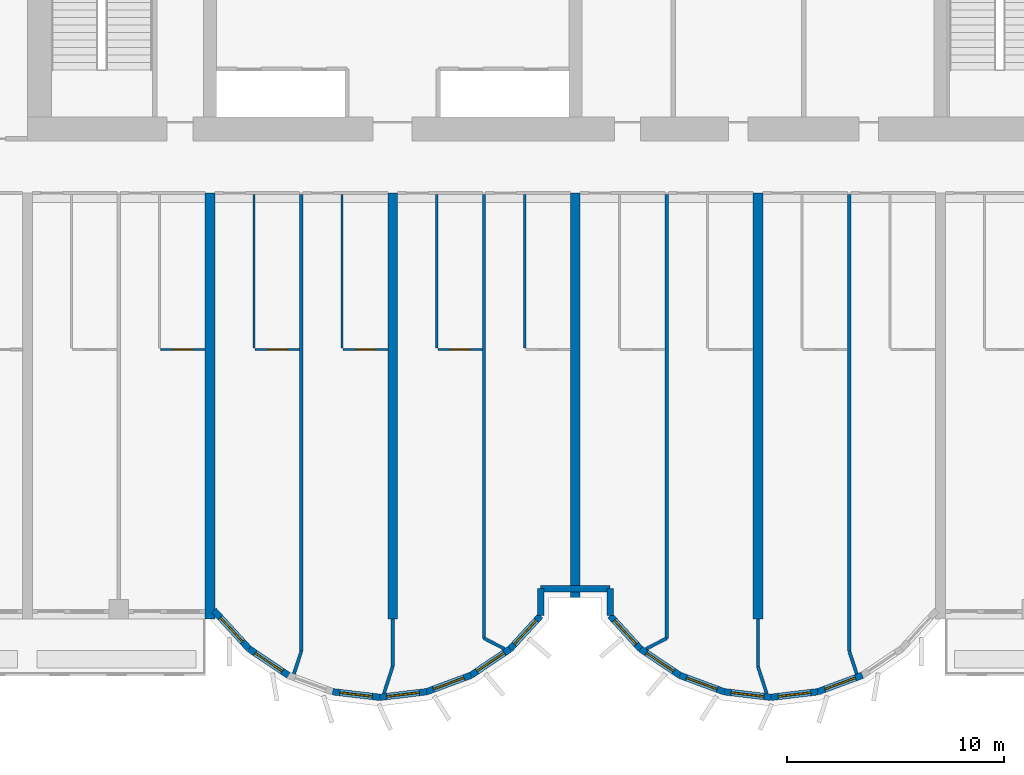
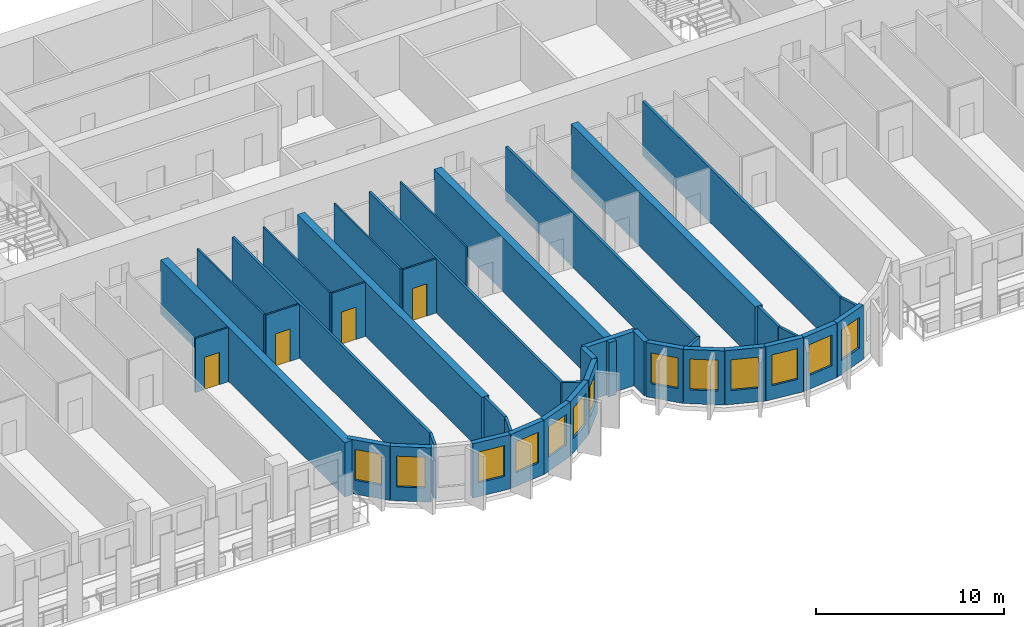
# One storey, part 4 of 15: 40 walls, 13 windows, 4 doors, 17 openings.
"""IFC4 building model written with IfcOpenShell, lengths in metres."""

from ifc_helpers import new_model, si_unit, direction, frame, frame_2d, origin, place, context, subcontext, project, spatial, rectangle, extrude, source, transform, mapped, material, layer, layer_set, type_object, element, fill, save


model = new_model("IFC4")

# Units and contexts
model_context = context("Model", 3, precision=1e-05, world=origin(), true_north=direction((0.0, 1.0)))
body_context = subcontext(model_context, "Body", "Model", "MODEL_VIEW")
ifc_project = project(units=[si_unit("LENGTHUNIT", "METRE"), si_unit("AREAUNIT", "SQUARE_METRE"), si_unit("VOLUMEUNIT", "CUBIC_METRE"), si_unit("PLANEANGLEUNIT", "RADIAN"), si_unit("MASSUNIT", "GRAM", prefix="KILO")], contexts=[model_context])

# Site, building, storey
site_placement = place(None, origin())
site = spatial("IfcSite", under=ifc_project, at=site_placement, CompositionType="ELEMENT")
building_placement = place(site_placement, origin())
building = spatial("IfcBuilding", under=site, at=building_placement, Name="Vanashikhar Sky Hotel", CompositionType="ELEMENT")
storey_placement = place(building_placement, frame((0.0, 0.0, 31.60009765625)))
storey = spatial("IfcBuildingStorey", under=building, at=storey_placement, Name="L06", CompositionType="ELEMENT", Elevation=31.60009765625)

# Walls
ifc_material_1 = material(Name="Concrete M80", Category="concrete")
ifc_layer_1 = layer(ifc_material_1, 0.449951171875)
ifc_layer_set_1 = layer_set([ifc_layer_1], Name="RC shear wall 450 Concrete M80")
wall_type_1 = type_object("IfcWallType", Name="RC shear wall 450 Concrete M80", PredefinedType="SHEAR", material=ifc_layer_set_1)
shared_shape_1 = source(origin(), body_context, "Body", "SweptSolid", [
    extrude(rectangle(XDim=19.60009765625, YDim=0.449951171875, at=frame_2d((9.800048828125, 0.0))), origin(), (0.0, 0.0, 1.0), 3.52001953125),
])
for number, where, z_axis, x_axis, name in (
    (1, (33.60009765625, 0.0, 0.0), (0.0, 0.0, 1.0), (0.0, 1.0, 0.0), "CW-L06-XW05-1"),
    (2, (42.0, 0.0, 0.0), (0.0, 0.0, 1.0), (0.0, 1.0, 0.0), "CW-L06-XW06-1"),
    (3, (58.800048828125, 0.0, 0.0), (0.0, 0.0, 1.0), (0.0, 1.0, 0.0), "CW-L06-XW08-1"),
):
    element("IfcWall", number, at=place(storey_placement, frame(where, z_axis=z_axis, x_axis=x_axis)), inside=storey, type_object=wall_type_1, Name=name, PredefinedType="SHEAR", context=body_context, shape_type="MappedRepresentation", body=[
        mapped(shared_shape_1, transform((0.0, 0.0, 0.0), scale=1.0)),
    ])
shared_shape_2 = source(origin(), body_context, "Body", "SweptSolid", [
    extrude(rectangle(XDim=18.60009765625, YDim=0.449951171875, at=frame_2d((9.300048828125, 0.0))), origin(), (0.0, 0.0, 1.0), 3.52001953125),
])
wall_1_placement = place(storey_placement, frame((50.39990234375, 1.0, 0.0), z_axis=(0.0, 0.0, 1.0), x_axis=(0.0, 1.0, 0.0)))
element("IfcWall", 4, at=wall_1_placement, inside=storey, type_object=wall_type_1, Name="CW-L06-XW07-1", PredefinedType="SHEAR", context=body_context, shape_type="MappedRepresentation", body=[
    mapped(shared_shape_2, transform((0.0, 0.0, 0.0), scale=1.0)),
])

# Wall, opening, window
ifc_material_2 = material(Name="Concrete M50", Category="concrete")
ifc_layer_2 = layer(ifc_material_2, 0.300048828125)
ifc_layer_set_2 = layer_set([ifc_layer_2], Name="Lobe wall 300")
wall_type_2 = type_object("IfcWallType", Name="Lobe wall 300", PredefinedType="SOLIDWALL", material=ifc_layer_set_2)
shared_shape_3 = source(origin(), body_context, "Body", "SweptSolid", [
    extrude(rectangle(XDim=2.398193359375, YDim=0.300048828125, at=frame_2d((1.19921875, 0.0))), origin(), (0.0, 0.0, 1.0), 3.52001953125),
])
wall_2_placement = place(storey_placement, frame((33.776123046875, 0.39990234375, 0.0), z_axis=(0.0, 0.0, 1.0), x_axis=(0.675374189419, -0.737475222815, 0.0)))
wall_2 = element("IfcWall", 5, at=wall_2_placement, inside=storey, type_object=wall_type_2, Name="Lobe wall", PredefinedType="SOLIDWALL", context=body_context, shape_type="MappedRepresentation", body=[
    mapped(shared_shape_3, transform((0.0, 0.0, 0.0), scale=1.0)),
])
shared_shape_4 = source(origin(), body_context, "Body", "SweptSolid", [
    extrude(rectangle(XDim=1.5, YDim=2.0, at=frame_2d((0.75, 1.0))), frame((0.0, 0.16015625, 0.0), z_axis=(0.0, -1.0, 0.0), x_axis=(1.0, 0.0, 0.0)), (0.0, 0.0, 1.0), 0.320068359375),
])
opening_1_placement = place(wall_2_placement, frame((0.44921875, 0.0, 0.89990234375)))
opening_1 = element("IfcOpeningElement", 6, at=opening_1_placement, cuts=wall_2, Name="Opening WN-2", PredefinedType="OPENING", context=body_context, shape_type="MappedRepresentation", body=[
    mapped(shared_shape_4, transform((0.0, 0.0, 0.0), scale=1.0)),
])
ifc_material_3 = material(Name="Glass", Category="glass")
window_type = type_object("IfcWindowType", Name="Lobe window 1500 x 2000", PartitioningType="SINGLE_PANEL", PredefinedType="WINDOW", material=ifc_material_3)
shared_shape_5 = source(origin(), body_context, "Body", "SweptSolid", [
    extrude(rectangle(XDim=1.5, YDim=2.0, at=frame_2d((0.75, 1.0))), frame((0.0, 0.030029296875, 0.0), z_axis=(0.0, -1.0, 0.0), x_axis=(1.0, 0.0, 0.0)), (0.0, 0.0, 1.0), 0.06005859375),
])
window_1_placement = place(opening_1_placement, origin())
window_1 = element("IfcWindow", 7, at=window_1_placement, inside=storey, type_object=window_type, Name="Window WN-2", OverallHeight=2.0, OverallWidth=1.5, PartitioningType="SINGLE_PANEL", PredefinedType="WINDOW", context=body_context, shape_type="MappedRepresentation", body=[
    mapped(shared_shape_5, transform((0.0, 0.0, 0.0), scale=1.0)),
])
fill(opening_1, window_1)

shared_shape_6 = source(origin(), body_context, "Body", "SweptSolid", [
    extrude(rectangle(XDim=2.17578125, YDim=0.300048828125, at=frame_2d((1.087890625, 0.0))), origin(), (0.0, 0.0, 1.0), 3.52001953125),
])
wall_3_placement = place(storey_placement, frame((35.395751953125, -1.36865234375, 0.0), z_axis=(0.0, 0.0, 1.0), x_axis=(0.829590746428, -0.558371913192, 0.0)))
wall_3 = element("IfcWall", 8, at=wall_3_placement, inside=storey, type_object=wall_type_2, Name="Lobe wall", PredefinedType="SOLIDWALL", context=body_context, shape_type="MappedRepresentation", body=[
    mapped(shared_shape_6, transform((0.0, 0.0, 0.0), scale=1.0)),
])
opening_2_placement = place(wall_3_placement, frame((0.337890625, 0.0, 0.89990234375)))
opening_2 = element("IfcOpeningElement", 9, at=opening_2_placement, cuts=wall_3, Name="Opening WN-2", PredefinedType="OPENING", context=body_context, shape_type="MappedRepresentation", body=[
    mapped(shared_shape_4, transform((0.0, 0.0, 0.0), scale=1.0)),
])
window_2_placement = place(opening_2_placement, origin())
window_2 = element("IfcWindow", 10, at=window_2_placement, inside=storey, type_object=window_type, Name="Window WN-2", OverallHeight=2.0, OverallWidth=1.5, PartitioningType="SINGLE_PANEL", PredefinedType="WINDOW", context=body_context, shape_type="MappedRepresentation", body=[
    mapped(shared_shape_5, transform((0.0, 0.0, 0.0), scale=1.0)),
])
fill(opening_2, window_2)

wall_4_placement = place(storey_placement, frame((45.59912109375, -2.58349609375, 0.0), z_axis=(0.0, 0.0, 1.0), x_axis=(0.829625727223, 0.558319937607, 0.0)))
wall_4 = element("IfcWall", 11, at=wall_4_placement, inside=storey, type_object=wall_type_2, Name="Lobe wall", PredefinedType="SOLIDWALL", context=body_context, shape_type="MappedRepresentation", body=[
    mapped(shared_shape_6, transform((0.0, 0.0, 0.0), scale=1.0)),
])
opening_3_placement = place(wall_4_placement, frame((0.337890625, 0.0, 0.89990234375)))
opening_3 = element("IfcOpeningElement", 12, at=opening_3_placement, cuts=wall_4, Name="Opening WN-2", PredefinedType="OPENING", context=body_context, shape_type="MappedRepresentation", body=[
    mapped(shared_shape_4, transform((0.0, 0.0, 0.0), scale=1.0)),
])
window_3_placement = place(opening_3_placement, origin())
window_3 = element("IfcWindow", 13, at=window_3_placement, inside=storey, type_object=window_type, Name="Window WN-2", OverallHeight=2.0, OverallWidth=1.5, PartitioningType="SINGLE_PANEL", PredefinedType="WINDOW", context=body_context, shape_type="MappedRepresentation", body=[
    mapped(shared_shape_5, transform((0.0, 0.0, 0.0), scale=1.0)),
])
fill(opening_3, window_3)

wall_5_placement = place(storey_placement, frame((53.395751953125, -1.36865234375, 0.0), z_axis=(0.0, 0.0, 1.0), x_axis=(0.829590746428, -0.558371913192, 0.0)))
wall_5 = element("IfcWall", 14, at=wall_5_placement, inside=storey, type_object=wall_type_2, Name="Lobe wall", PredefinedType="SOLIDWALL", context=body_context, shape_type="MappedRepresentation", body=[
    mapped(shared_shape_6, transform((0.0, 0.0, 0.0), scale=1.0)),
])
opening_4_placement = place(wall_5_placement, frame((0.337890625, 0.0, 0.89990234375)))
opening_4 = element("IfcOpeningElement", 15, at=opening_4_placement, cuts=wall_5, Name="Opening WN-2", PredefinedType="OPENING", context=body_context, shape_type="MappedRepresentation", body=[
    mapped(shared_shape_4, transform((0.0, 0.0, 0.0), scale=1.0)),
])
window_4_placement = place(opening_4_placement, origin())
window_4 = element("IfcWindow", 16, at=window_4_placement, inside=storey, type_object=window_type, Name="Window WN-2", OverallHeight=2.0, OverallWidth=1.5, PartitioningType="SINGLE_PANEL", PredefinedType="WINDOW", context=body_context, shape_type="MappedRepresentation", body=[
    mapped(shared_shape_5, transform((0.0, 0.0, 0.0), scale=1.0)),
])
fill(opening_4, window_4)

wall_6_placement = place(storey_placement, frame((55.20068359375, -2.58349609375, 0.0), z_axis=(0.0, 0.0, 1.0), x_axis=(0.93754555999, -0.347862505801, 0.0)))
wall_6 = element("IfcWall", 17, at=wall_6_placement, inside=storey, type_object=wall_type_2, Name="Lobe wall", PredefinedType="SOLIDWALL", context=body_context, shape_type="MappedRepresentation", body=[
    mapped(shared_shape_6, transform((0.0, 0.0, 0.0), scale=1.0)),
])
opening_5_placement = place(wall_6_placement, frame((0.337890625, 0.0, 0.89990234375)))
opening_5 = element("IfcOpeningElement", 18, at=opening_5_placement, cuts=wall_6, Name="Opening WN-2", PredefinedType="OPENING", context=body_context, shape_type="MappedRepresentation", body=[
    mapped(shared_shape_4, transform((0.0, 0.0, 0.0), scale=1.0)),
])
window_5_placement = place(opening_5_placement, origin())
window_5 = element("IfcWindow", 19, at=window_5_placement, inside=storey, type_object=window_type, Name="Window WN-2", OverallHeight=2.0, OverallWidth=1.5, PartitioningType="SINGLE_PANEL", PredefinedType="WINDOW", context=body_context, shape_type="MappedRepresentation", body=[
    mapped(shared_shape_5, transform((0.0, 0.0, 0.0), scale=1.0)),
])
fill(opening_5, window_5)

shared_shape_7 = source(origin(), body_context, "Body", "SweptSolid", [
    extrude(rectangle(XDim=2.174560546875, YDim=0.300048828125, at=frame_2d((1.08740234375, 0.0))), origin(), (0.0, 0.0, 1.0), 3.52001953125),
])
wall_7_placement = place(storey_placement, frame((39.240478515625, -3.34033203125, 0.0), z_axis=(0.0, 0.0, 1.0), x_axis=(0.993001132889, -0.118104826659, 0.0)))
wall_7 = element("IfcWall", 20, at=wall_7_placement, inside=storey, type_object=wall_type_2, Name="Lobe wall", PredefinedType="SOLIDWALL", context=body_context, shape_type="MappedRepresentation", body=[
    mapped(shared_shape_7, transform((0.0, 0.0, 0.0), scale=1.0)),
])
opening_6_placement = place(wall_7_placement, frame((0.33740234375, 0.0, 0.89990234375)))
opening_6 = element("IfcOpeningElement", 21, at=opening_6_placement, cuts=wall_7, Name="Opening WN-2", PredefinedType="OPENING", context=body_context, shape_type="MappedRepresentation", body=[
    mapped(shared_shape_4, transform((0.0, 0.0, 0.0), scale=1.0)),
])
window_6_placement = place(opening_6_placement, origin())
window_6 = element("IfcWindow", 22, at=window_6_placement, inside=storey, type_object=window_type, Name="Window WN-2", OverallHeight=2.0, OverallWidth=1.5, PartitioningType="SINGLE_PANEL", PredefinedType="WINDOW", context=body_context, shape_type="MappedRepresentation", body=[
    mapped(shared_shape_5, transform((0.0, 0.0, 0.0), scale=1.0)),
])
fill(opening_6, window_6)

wall_8_placement = place(storey_placement, frame((57.240478515625, -3.34033203125, 0.0), z_axis=(0.0, 0.0, 1.0), x_axis=(0.993001132889, -0.118104826659, 0.0)))
wall_8 = element("IfcWall", 23, at=wall_8_placement, inside=storey, type_object=wall_type_2, Name="Lobe wall", PredefinedType="SOLIDWALL", context=body_context, shape_type="MappedRepresentation", body=[
    mapped(shared_shape_7, transform((0.0, 0.0, 0.0), scale=1.0)),
])
opening_7_placement = place(wall_8_placement, frame((0.33740234375, 0.0, 0.89990234375)))
opening_7 = element("IfcOpeningElement", 24, at=opening_7_placement, cuts=wall_8, Name="Opening WN-2", PredefinedType="OPENING", context=body_context, shape_type="MappedRepresentation", body=[
    mapped(shared_shape_4, transform((0.0, 0.0, 0.0), scale=1.0)),
])
window_7_placement = place(opening_7_placement, origin())
window_7 = element("IfcWindow", 25, at=window_7_placement, inside=storey, type_object=window_type, Name="Window WN-2", OverallHeight=2.0, OverallWidth=1.5, PartitioningType="SINGLE_PANEL", PredefinedType="WINDOW", context=body_context, shape_type="MappedRepresentation", body=[
    mapped(shared_shape_5, transform((0.0, 0.0, 0.0), scale=1.0)),
])
fill(opening_7, window_7)

shared_shape_8 = source(origin(), body_context, "Body", "SweptSolid", [
    extrude(rectangle(XDim=2.1748046875, YDim=0.300048828125, at=frame_2d((1.08740234375, 0.0))), origin(), (0.0, 0.0, 1.0), 3.52001953125),
])
wall_9_placement = place(storey_placement, frame((41.39990234375, -3.59716796875, 0.0), z_axis=(0.0, 0.0, 1.0), x_axis=(0.993002698611, 0.118091661648, 0.0)))
wall_9 = element("IfcWall", 26, at=wall_9_placement, inside=storey, type_object=wall_type_2, Name="Lobe wall", PredefinedType="SOLIDWALL", context=body_context, shape_type="MappedRepresentation", body=[
    mapped(shared_shape_8, transform((0.0, 0.0, 0.0), scale=1.0)),
])
opening_8_placement = place(wall_9_placement, frame((0.33740234375, 0.0, 0.89990234375)))
opening_8 = element("IfcOpeningElement", 27, at=opening_8_placement, cuts=wall_9, Name="Opening WN-2", PredefinedType="OPENING", context=body_context, shape_type="MappedRepresentation", body=[
    mapped(shared_shape_4, transform((0.0, 0.0, 0.0), scale=1.0)),
])
window_8_placement = place(opening_8_placement, origin())
window_8 = element("IfcWindow", 28, at=window_8_placement, inside=storey, type_object=window_type, Name="Window WN-2", OverallHeight=2.0, OverallWidth=1.5, PartitioningType="SINGLE_PANEL", PredefinedType="WINDOW", context=body_context, shape_type="MappedRepresentation", body=[
    mapped(shared_shape_5, transform((0.0, 0.0, 0.0), scale=1.0)),
])
fill(opening_8, window_8)

wall_10_placement = place(storey_placement, frame((59.39990234375, -3.59716796875, 0.0), z_axis=(0.0, 0.0, 1.0), x_axis=(0.993002698611, 0.118091661648, 0.0)))
wall_10 = element("IfcWall", 29, at=wall_10_placement, inside=storey, type_object=wall_type_2, Name="Lobe wall", PredefinedType="SOLIDWALL", context=body_context, shape_type="MappedRepresentation", body=[
    mapped(shared_shape_8, transform((0.0, 0.0, 0.0), scale=1.0)),
])
opening_9_placement = place(wall_10_placement, frame((0.33740234375, 0.0, 0.89990234375)))
opening_9 = element("IfcOpeningElement", 30, at=opening_9_placement, cuts=wall_10, Name="Opening WN-2", PredefinedType="OPENING", context=body_context, shape_type="MappedRepresentation", body=[
    mapped(shared_shape_4, transform((0.0, 0.0, 0.0), scale=1.0)),
])
window_9_placement = place(opening_9_placement, origin())
window_9 = element("IfcWindow", 31, at=window_9_placement, inside=storey, type_object=window_type, Name="Window WN-2", OverallHeight=2.0, OverallWidth=1.5, PartitioningType="SINGLE_PANEL", PredefinedType="WINDOW", context=body_context, shape_type="MappedRepresentation", body=[
    mapped(shared_shape_5, transform((0.0, 0.0, 0.0), scale=1.0)),
])
fill(opening_9, window_9)

shared_shape_9 = source(origin(), body_context, "Body", "SweptSolid", [
    extrude(rectangle(XDim=2.175537109375, YDim=0.300048828125, at=frame_2d((1.087890625, 0.0))), origin(), (0.0, 0.0, 1.0), 3.52001953125),
])
wall_11_placement = place(storey_placement, frame((43.5595703125, -3.34033203125, 0.0), z_axis=(0.0, 0.0, 1.0), x_axis=(0.937531979054, 0.347899106424, 0.0)))
wall_11 = element("IfcWall", 32, at=wall_11_placement, inside=storey, type_object=wall_type_2, Name="Lobe wall", PredefinedType="SOLIDWALL", context=body_context, shape_type="MappedRepresentation", body=[
    mapped(shared_shape_9, transform((0.0, 0.0, 0.0), scale=1.0)),
])
opening_10_placement = place(wall_11_placement, frame((0.337890625, 0.0, 0.89990234375)))
opening_10 = element("IfcOpeningElement", 33, at=opening_10_placement, cuts=wall_11, Name="Opening WN-2", PredefinedType="OPENING", context=body_context, shape_type="MappedRepresentation", body=[
    mapped(shared_shape_4, transform((0.0, 0.0, 0.0), scale=1.0)),
])
window_10_placement = place(opening_10_placement, origin())
window_10 = element("IfcWindow", 34, at=window_10_placement, inside=storey, type_object=window_type, Name="Window WN-2", OverallHeight=2.0, OverallWidth=1.5, PartitioningType="SINGLE_PANEL", PredefinedType="WINDOW", context=body_context, shape_type="MappedRepresentation", body=[
    mapped(shared_shape_5, transform((0.0, 0.0, 0.0), scale=1.0)),
])
fill(opening_10, window_10)

wall_12_placement = place(storey_placement, frame((61.5595703125, -3.34033203125, 0.0), z_axis=(0.0, 0.0, 1.0), x_axis=(0.937531979054, 0.347899106424, 0.0)))
wall_12 = element("IfcWall", 35, at=wall_12_placement, inside=storey, type_object=wall_type_2, Name="Lobe wall", PredefinedType="SOLIDWALL", context=body_context, shape_type="MappedRepresentation", body=[
    mapped(shared_shape_9, transform((0.0, 0.0, 0.0), scale=1.0)),
])
opening_11_placement = place(wall_12_placement, frame((0.337890625, 0.0, 0.89990234375)))
opening_11 = element("IfcOpeningElement", 36, at=opening_11_placement, cuts=wall_12, Name="Opening WN-2", PredefinedType="OPENING", context=body_context, shape_type="MappedRepresentation", body=[
    mapped(shared_shape_4, transform((0.0, 0.0, 0.0), scale=1.0)),
])
window_11_placement = place(opening_11_placement, origin())
window_11 = element("IfcWindow", 37, at=window_11_placement, inside=storey, type_object=window_type, Name="Window WN-2", OverallHeight=2.0, OverallWidth=1.5, PartitioningType="SINGLE_PANEL", PredefinedType="WINDOW", context=body_context, shape_type="MappedRepresentation", body=[
    mapped(shared_shape_5, transform((0.0, 0.0, 0.0), scale=1.0)),
])
fill(opening_11, window_11)

shared_shape_10 = source(origin(), body_context, "Body", "SweptSolid", [
    extrude(rectangle(XDim=2.066650390625, YDim=0.300048828125, at=frame_2d((1.033203125, 0.0))), origin(), (0.0, 0.0, 1.0), 3.52001953125),
])
wall_13_placement = place(storey_placement, frame((47.404296875, -1.36865234375, 0.0), z_axis=(0.0, 0.0, 1.0), x_axis=(0.675355439877, 0.737492393065, 0.0)))
wall_13 = element("IfcWall", 38, at=wall_13_placement, inside=storey, type_object=wall_type_2, Name="Lobe wall", PredefinedType="SOLIDWALL", context=body_context, shape_type="MappedRepresentation", body=[
    mapped(shared_shape_10, transform((0.0, 0.0, 0.0), scale=1.0)),
])
opening_12_placement = place(wall_13_placement, frame((0.283447265625, 0.0, 0.89990234375)))
opening_12 = element("IfcOpeningElement", 39, at=opening_12_placement, cuts=wall_13, Name="Opening WN-2", PredefinedType="OPENING", context=body_context, shape_type="MappedRepresentation", body=[
    mapped(shared_shape_4, transform((0.0, 0.0, 0.0), scale=1.0)),
])
window_12_placement = place(opening_12_placement, origin())
window_12 = element("IfcWindow", 40, at=window_12_placement, inside=storey, type_object=window_type, Name="Window WN-2", OverallHeight=2.0, OverallWidth=1.5, PartitioningType="SINGLE_PANEL", PredefinedType="WINDOW", context=body_context, shape_type="MappedRepresentation", body=[
    mapped(shared_shape_5, transform((0.0, 0.0, 0.0), scale=1.0)),
])
fill(opening_12, window_12)

wall_14_placement = place(storey_placement, frame((52.0, 0.155517578125, 0.0), z_axis=(0.0, 0.0, 1.0), x_axis=(0.675355439877, -0.737492393065, 0.0)))
wall_14 = element("IfcWall", 41, at=wall_14_placement, inside=storey, type_object=wall_type_2, Name="Lobe wall", PredefinedType="SOLIDWALL", context=body_context, shape_type="MappedRepresentation", body=[
    mapped(shared_shape_10, transform((0.0, 0.0, 0.0), scale=1.0)),
])
opening_13_placement = place(wall_14_placement, frame((0.283447265625, 0.0, 0.89990234375)))
opening_13 = element("IfcOpeningElement", 42, at=opening_13_placement, cuts=wall_14, Name="Opening WN-2", PredefinedType="OPENING", context=body_context, shape_type="MappedRepresentation", body=[
    mapped(shared_shape_4, transform((0.0, 0.0, 0.0), scale=1.0)),
])
window_13_placement = place(opening_13_placement, origin())
window_13 = element("IfcWindow", 43, at=window_13_placement, inside=storey, type_object=window_type, Name="Window WN-2", OverallHeight=2.0, OverallWidth=1.5, PartitioningType="SINGLE_PANEL", PredefinedType="WINDOW", context=body_context, shape_type="MappedRepresentation", body=[
    mapped(shared_shape_5, transform((0.0, 0.0, 0.0), scale=1.0)),
])
fill(opening_13, window_13)

# Walls
shared_shape_11 = source(origin(), body_context, "Body", "SweptSolid", [
    extrude(rectangle(XDim=1.244384765625, YDim=0.300048828125, at=frame_2d((0.6220703125, 0.0))), origin(), (0.0, 0.0, 1.0), 3.52001953125),
])
for number, where, z_axis, x_axis, name in (
    (44, (48.800048828125, 0.155517578125, 0.0), (0.0, 0.0, 1.0), (0.0, 1.0, 0.0), "Groove wall"),
    (45, (52.0, 1.39990234375, 0.0), (0.0, 0.0, 1.0), (0.0, -1.0, 0.0), "Groove wall"),
):
    element("IfcWall", number, at=place(storey_placement, frame(where, z_axis=z_axis, x_axis=x_axis)), inside=storey, type_object=wall_type_2, Name=name, PredefinedType="SOLIDWALL", context=body_context, shape_type="MappedRepresentation", body=[
        mapped(shared_shape_11, transform((0.0, 0.0, 0.0), scale=1.0)),
    ])
shared_shape_12 = source(origin(), body_context, "Body", "SweptSolid", [
    extrude(rectangle(XDim=3.199951171875, YDim=0.300048828125, at=frame_2d((1.60009765625, 0.0))), origin(), (0.0, 0.0, 1.0), 3.52001953125),
])
wall_15_placement = place(storey_placement, frame((48.800048828125, 1.39990234375, 0.0), z_axis=(0.0, 0.0, 1.0), x_axis=(1.0, 0.0, 0.0)))
element("IfcWall", 46, at=wall_15_placement, inside=storey, type_object=wall_type_2, Name="Groove wall", PredefinedType="SOLIDWALL", context=body_context, shape_type="MappedRepresentation", body=[
    mapped(shared_shape_12, transform((0.0, 0.0, 0.0), scale=1.0)),
])
ifc_material_4 = material(Name="Gypsum plasterboard partition")
ifc_layer_3 = layer(ifc_material_4, 0.10009765625)
ifc_layer_set_3 = layer_set([ifc_layer_3], Name="Wet room partition 100")
wall_type_3 = type_object("IfcWallType", Name="Wet room partition 100", PredefinedType="PARTITIONING", material=ifc_layer_set_3)
shared_shape_13 = source(origin(), body_context, "Body", "SweptSolid", [
    extrude(rectangle(XDim=7.0498046875, YDim=0.10009765625, at=frame_2d((3.52490234375, 0.0))), origin(), (0.0, 0.0, 1.0), 3.52001953125),
])
for number, where, z_axis, x_axis, name in (
    (47, (35.625, 12.47509765625, 0.0), (0.0, 0.0, 1.0), (0.0, 1.0, 0.0), "W-L06-PW029"),
    (48, (39.675048828125, 12.47509765625, 0.0), (0.0, 0.0, 1.0), (0.0, 1.0, 0.0), "W-L06-PW032"),
    (49, (44.02490234375, 12.47509765625, 0.0), (0.0, 0.0, 1.0), (0.0, 1.0, 0.0), "W-L06-PW036"),
    (50, (48.074951171875, 12.47509765625, 0.0), (0.0, 0.0, 1.0), (0.0, 1.0, 0.0), "W-L06-PW039"),
):
    element("IfcWall", number, at=place(storey_placement, frame(where, z_axis=z_axis, x_axis=x_axis)), inside=storey, type_object=wall_type_3, Name=name, PredefinedType="PARTITIONING", context=body_context, shape_type="MappedRepresentation", body=[
        mapped(shared_shape_13, transform((0.0, 0.0, 0.0), scale=1.0)),
    ])

# Wall, opening, door
shared_shape_14 = source(origin(), body_context, "Body", "SweptSolid", [
    extrude(rectangle(XDim=2.050048828125, YDim=0.10009765625, at=frame_2d((1.02490234375, 0.0))), origin(), (0.0, 0.0, 1.0), 3.52001953125),
])
wall_16_placement = place(storey_placement, frame((31.324951171875, 12.39990234375, 0.0), z_axis=(0.0, 0.0, 1.0), x_axis=(1.0, 0.0, 0.0)))
wall_16 = element("IfcWall", 51, at=wall_16_placement, inside=storey, type_object=wall_type_3, Name="W-L06-PW026", PredefinedType="PARTITIONING", context=body_context, shape_type="MappedRepresentation", body=[
    mapped(shared_shape_14, transform((0.0, 0.0, 0.0), scale=1.0)),
])
shared_shape_15 = source(origin(), body_context, "Body", "SweptSolid", [
    extrude(rectangle(XDim=0.89990234375, YDim=2.10009765625, at=frame_2d((0.449951171875, 1.050048828125))), frame((0.0, 0.06005859375, 0.0), z_axis=(0.0, -1.0, 0.0), x_axis=(1.0, 0.0, 0.0)), (0.0, 0.0, 1.0), 0.1201171875),
])
opening_14_placement = place(wall_16_placement, frame((0.574951171875, 0.0, 0.0)))
opening_14 = element("IfcOpeningElement", 52, at=opening_14_placement, cuts=wall_16, Name="Opening D-02", PredefinedType="OPENING", context=body_context, shape_type="MappedRepresentation", body=[
    mapped(shared_shape_15, transform((0.0, 0.0, 0.0), scale=1.0)),
])
ifc_material_5 = material(Name="Timber door", Category="wood")
door_type = type_object("IfcDoorType", Name="Internal door 900", OperationType="NOTDEFINED", PredefinedType="DOOR", material=ifc_material_5)
shared_shape_16 = source(origin(), body_context, "Body", "SweptSolid", [
    extrude(rectangle(XDim=0.89990234375, YDim=2.10009765625, at=frame_2d((0.449951171875, 1.050048828125))), frame((0.0, 0.02490234375, 0.0), z_axis=(0.0, -1.0, 0.0), x_axis=(1.0, 0.0, 0.0)), (0.0, 0.0, 1.0), 0.050048828125),
])
door_1_placement = place(opening_14_placement, origin())
door_1 = element("IfcDoor", 53, at=door_1_placement, inside=storey, type_object=door_type, Name="D-L06-015", OperationType="SINGLE_SWING_LEFT", OverallHeight=2.10009765625, OverallWidth=0.89990234375, PredefinedType="DOOR", context=body_context, shape_type="MappedRepresentation", body=[
    mapped(shared_shape_16, transform((0.0, 0.0, 0.0), scale=1.0)),
])
fill(opening_14, door_1)

wall_17_placement = place(storey_placement, frame((35.675048828125, 12.39990234375, 0.0), z_axis=(0.0, 0.0, 1.0), x_axis=(1.0, 0.0, 0.0)))
wall_17 = element("IfcWall", 54, at=wall_17_placement, inside=storey, type_object=wall_type_3, Name="W-L06-PW030", PredefinedType="PARTITIONING", context=body_context, shape_type="MappedRepresentation", body=[
    mapped(shared_shape_14, transform((0.0, 0.0, 0.0), scale=1.0)),
])
opening_15_placement = place(wall_17_placement, frame((0.574951171875, 0.0, 0.0)))
opening_15 = element("IfcOpeningElement", 55, at=opening_15_placement, cuts=wall_17, Name="Opening D-02", PredefinedType="OPENING", context=body_context, shape_type="MappedRepresentation", body=[
    mapped(shared_shape_15, transform((0.0, 0.0, 0.0), scale=1.0)),
])
door_2_placement = place(opening_15_placement, origin())
door_2 = element("IfcDoor", 56, at=door_2_placement, inside=storey, type_object=door_type, Name="D-L06-017", OperationType="SINGLE_SWING_LEFT", OverallHeight=2.10009765625, OverallWidth=0.89990234375, PredefinedType="DOOR", context=body_context, shape_type="MappedRepresentation", body=[
    mapped(shared_shape_16, transform((0.0, 0.0, 0.0), scale=1.0)),
])
fill(opening_15, door_2)

wall_18_placement = place(storey_placement, frame((44.074951171875, 12.39990234375, 0.0), z_axis=(0.0, 0.0, 1.0), x_axis=(1.0, 0.0, 0.0)))
wall_18 = element("IfcWall", 57, at=wall_18_placement, inside=storey, type_object=wall_type_3, Name="W-L06-PW037", PredefinedType="PARTITIONING", context=body_context, shape_type="MappedRepresentation", body=[
    mapped(shared_shape_14, transform((0.0, 0.0, 0.0), scale=1.0)),
])
opening_16_placement = place(wall_18_placement, frame((0.574951171875, 0.0, 0.0)))
opening_16 = element("IfcOpeningElement", 58, at=opening_16_placement, cuts=wall_18, Name="Opening D-02", PredefinedType="OPENING", context=body_context, shape_type="MappedRepresentation", body=[
    mapped(shared_shape_15, transform((0.0, 0.0, 0.0), scale=1.0)),
])
door_3_placement = place(opening_16_placement, origin())
door_3 = element("IfcDoor", 59, at=door_3_placement, inside=storey, type_object=door_type, Name="D-L06-021", OperationType="SINGLE_SWING_LEFT", OverallHeight=2.10009765625, OverallWidth=0.89990234375, PredefinedType="DOOR", context=body_context, shape_type="MappedRepresentation", body=[
    mapped(shared_shape_16, transform((0.0, 0.0, 0.0), scale=1.0)),
])
fill(opening_16, door_3)

shared_shape_17 = source(origin(), body_context, "Body", "SweptSolid", [
    extrude(rectangle(XDim=2.0498046875, YDim=0.10009765625, at=frame_2d((1.02490234375, 0.0))), origin(), (0.0, 0.0, 1.0), 3.52001953125),
])
wall_19_placement = place(storey_placement, frame((39.72509765625, 12.39990234375, 0.0), z_axis=(0.0, 0.0, 1.0), x_axis=(1.0, 0.0, 0.0)))
wall_19 = element("IfcWall", 60, at=wall_19_placement, inside=storey, type_object=wall_type_3, Name="W-L06-PW033", PredefinedType="PARTITIONING", context=body_context, shape_type="MappedRepresentation", body=[
    mapped(shared_shape_17, transform((0.0, 0.0, 0.0), scale=1.0)),
])
opening_17_placement = place(wall_19_placement, frame((0.574951171875, 0.0, 0.0)))
opening_17 = element("IfcOpeningElement", 61, at=opening_17_placement, cuts=wall_19, Name="Opening D-02", PredefinedType="OPENING", context=body_context, shape_type="MappedRepresentation", body=[
    mapped(shared_shape_15, transform((0.0, 0.0, 0.0), scale=1.0)),
])
door_4_placement = place(opening_17_placement, origin())
door_4 = element("IfcDoor", 62, at=door_4_placement, inside=storey, type_object=door_type, Name="D-L06-019", OperationType="SINGLE_SWING_LEFT", OverallHeight=2.10009765625, OverallWidth=0.89990234375, PredefinedType="DOOR", context=body_context, shape_type="MappedRepresentation", body=[
    mapped(shared_shape_16, transform((0.0, 0.0, 0.0), scale=1.0)),
])
fill(opening_17, door_4)

# Walls
ifc_layer_4 = layer(ifc_material_4, 0.14990234375)
ifc_layer_set_4 = layer_set([ifc_layer_4], Name="Corridor and demising partition 150")
wall_type_4 = type_object("IfcWallType", Name="Corridor and demising partition 150", PredefinedType="PARTITIONING", material=ifc_layer_set_4)
shared_shape_18 = source(origin(), body_context, "Body", "SweptSolid", [
    extrude(rectangle(XDim=20.997802734375, YDim=0.14990234375, at=frame_2d((10.4990234375, 0.0))), origin(), (0.0, 0.0, 1.0), 3.52001953125),
])
for number, where, z_axis, x_axis, name in (
    (63, (37.800048828125, -1.472900390625, 0.0), (0.0, 0.0, 1.0), (0.0, 1.0, 0.0), "W-L06-PW035"),
    (64, (63.0, -1.472900390625, 0.0), (0.0, 0.0, 1.0), (0.0, 1.0, 0.0), "W-L06-PW056"),
):
    element("IfcWall", number, at=place(storey_placement, frame(where, z_axis=z_axis, x_axis=x_axis)), inside=storey, type_object=wall_type_4, Name=name, PredefinedType="PARTITIONING", context=body_context, shape_type="MappedRepresentation", body=[
        mapped(shared_shape_18, transform((0.0, 0.0, 0.0), scale=1.0)),
    ])
shared_shape_19 = source(origin(), body_context, "Body", "SweptSolid", [
    extrude(rectangle(XDim=20.406005859375, YDim=0.14990234375, at=frame_2d((10.203125, 0.0))), origin(), (0.0, 0.0, 1.0), 3.52001953125),
])
for number, where, z_axis, x_axis, name in (
    (65, (46.199951171875, -0.881103515625, 0.0), (0.0, 0.0, 1.0), (0.0, 1.0, 0.0), "W-L06-PW042"),
    (66, (54.60009765625, -0.881103515625, 0.0), (0.0, 0.0, 1.0), (0.0, 1.0, 0.0), "W-L06-PW049"),
):
    element("IfcWall", number, at=place(storey_placement, frame(where, z_axis=z_axis, x_axis=x_axis)), inside=storey, type_object=wall_type_4, Name=name, PredefinedType="PARTITIONING", context=body_context, shape_type="MappedRepresentation", body=[
        mapped(shared_shape_19, transform((0.0, 0.0, 0.0), scale=1.0)),
    ])
shared_shape_20 = source(origin(), body_context, "Body", "SweptSolid", [
    extrude(rectangle(XDim=2.177978515625, YDim=0.14990234375, at=frame_2d((1.0888671875, 0.0))), origin(), (0.0, 0.0, 1.0), 3.52001953125),
])
for number, where, z_axis, x_axis, name in (
    (67, (42.0, -2.177978515625, 0.0), (0.0, 0.0, 1.0), (0.0, 1.0, 0.0), "W-L06-PW085"),
    (68, (58.800048828125, -2.177978515625, 0.0), (0.0, 0.0, 1.0), (0.0, 1.0, 0.0), "W-L06-PW086"),
):
    element("IfcWall", number, at=place(storey_placement, frame(where, z_axis=z_axis, x_axis=x_axis)), inside=storey, type_object=wall_type_4, Name=name, PredefinedType="PARTITIONING", context=body_context, shape_type="MappedRepresentation", body=[
        mapped(shared_shape_20, transform((0.0, 0.0, 0.0), scale=1.0)),
    ])
shared_shape_21 = source(origin(), body_context, "Body", "SweptSolid", [
    extrude(rectangle(XDim=1.100830078125, YDim=0.14990234375, at=frame_2d((0.55029296875, 0.0))), origin(), (0.0, 0.0, 1.0), 3.52001953125),
])
for number, where, z_axis, x_axis, name in (
    (69, (37.45703125, -2.51904296875, 0.0), (0.0, 0.0, 1.0), (0.311567081539, 0.950224159712, 0.0), "W-L06-PW035B0"),
    (70, (63.343017578125, -2.51904296875, 0.0), (0.0, 0.0, 1.0), (-0.311567081539, 0.950224159712, 0.0), "W-L06-PW056B0"),
):
    element("IfcWall", number, at=place(storey_placement, frame(where, z_axis=z_axis, x_axis=x_axis)), inside=storey, type_object=wall_type_4, Name=name, PredefinedType="PARTITIONING", context=body_context, shape_type="MappedRepresentation", body=[
        mapped(shared_shape_21, transform((0.0, 0.0, 0.0), scale=1.0)),
    ])
shared_shape_22 = source(origin(), body_context, "Body", "SweptSolid", [
    extrude(rectangle(XDim=1.0576171875, YDim=0.14990234375, at=frame_2d((0.52880859375, 0.0))), origin(), (0.0, 0.0, 1.0), 3.52001953125),
])
wall_20_placement = place(storey_placement, frame((47.139892578125, -1.365966796875, 0.0), z_axis=(0.0, 0.0, 1.0), x_axis=(-0.888723819054, 0.458442988218, 0.0)))
element("IfcWall", 71, at=wall_20_placement, inside=storey, type_object=wall_type_4, Name="W-L06-PW042B0", PredefinedType="PARTITIONING", context=body_context, shape_type="MappedRepresentation", body=[
    mapped(shared_shape_22, transform((0.0, 0.0, 0.0), scale=1.0)),
])
shared_shape_23 = source(origin(), body_context, "Body", "SweptSolid", [
    extrude(rectangle(XDim=1.057861328125, YDim=0.14990234375, at=frame_2d((0.52880859375, 0.0))), origin(), (0.0, 0.0, 1.0), 3.52001953125),
])
wall_21_placement = place(storey_placement, frame((53.659912109375, -1.365966796875, 0.0), z_axis=(0.0, 0.0, 1.0), x_axis=(0.888772319209, 0.458348955063, 0.0)))
element("IfcWall", 72, at=wall_21_placement, inside=storey, type_object=wall_type_4, Name="W-L06-PW049B0", PredefinedType="PARTITIONING", context=body_context, shape_type="MappedRepresentation", body=[
    mapped(shared_shape_23, transform((0.0, 0.0, 0.0), scale=1.0)),
])
shared_shape_24 = source(origin(), body_context, "Body", "SweptSolid", [
    extrude(rectangle(XDim=1.308349609375, YDim=0.14990234375, at=frame_2d((0.654296875, 0.0))), origin(), (0.0, 0.0, 1.0), 3.52001953125),
])
for number, where, z_axis, x_axis, name in (
    (73, (41.597900390625, -3.423095703125, 0.0), (0.0, 0.0, 1.0), (0.307313512187, 0.951608325535, 0.0), "W-L06-PW085B0"),
    (74, (59.201904296875, -3.423095703125, 0.0), (0.0, 0.0, 1.0), (-0.307144529633, 0.951662880392, 0.0), "W-L06-PW086B0"),
):
    element("IfcWall", number, at=place(storey_placement, frame(where, z_axis=z_axis, x_axis=x_axis)), inside=storey, type_object=wall_type_4, Name=name, PredefinedType="PARTITIONING", context=body_context, shape_type="MappedRepresentation", body=[
        mapped(shared_shape_24, transform((0.0, 0.0, 0.0), scale=1.0)),
    ])

save(model, "model.ifc")
